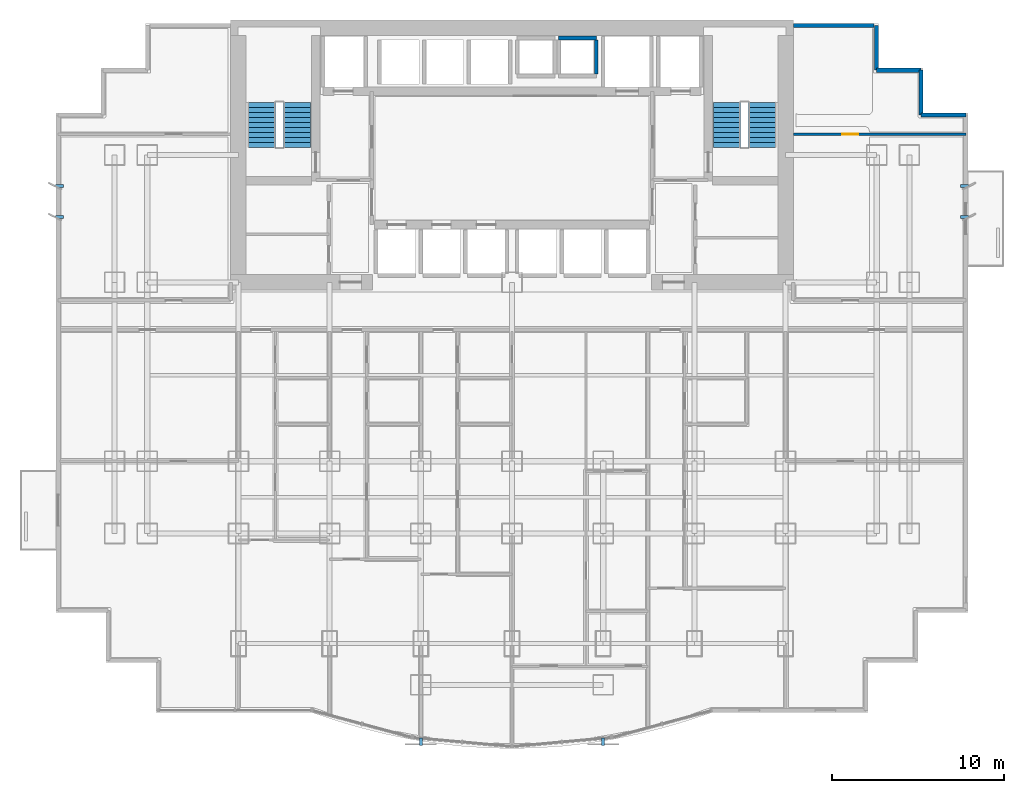
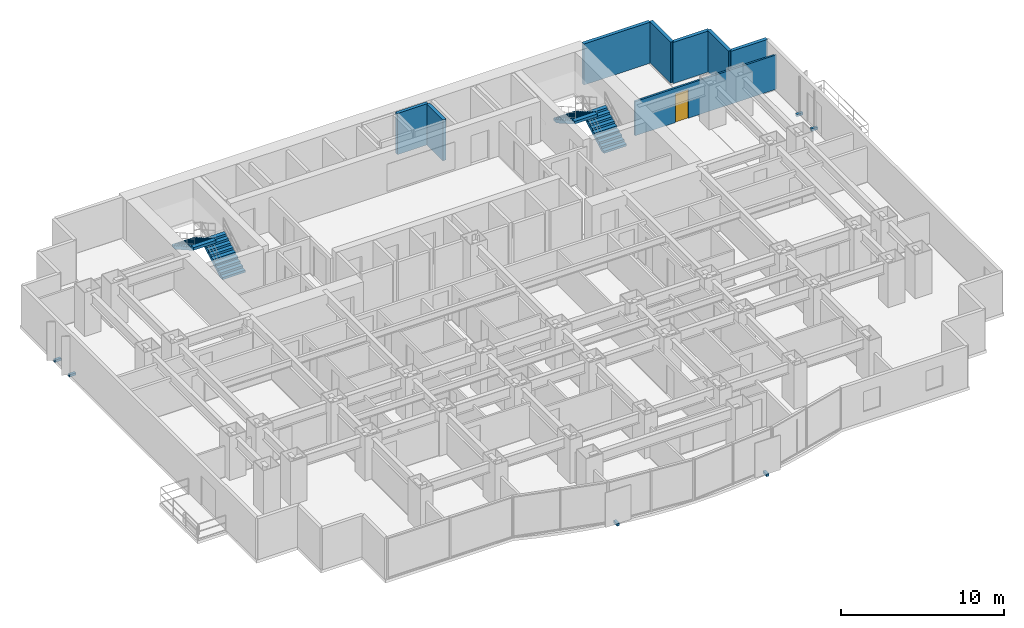
# One storey, part 8 of 10: 8 walls, 6 discrete accessories, 4 stair flights, 1 door, 1 opening, 2 elements without a shape of their own.
"""IFC4 building model written with IfcOpenShell, lengths in metres."""

from ifc_helpers import new_model, si_unit, direction, frame, frame_2d, origin, origin_2d, place, context, subcontext, project, spatial, polyline, rectangle, outline, extrude, source, transform, mapped, material, layer, layer_set, type_object, element, fill, aggregate, save


model = new_model("IFC4")

# Units and contexts
model_context = context("Model", 3, precision=1e-05, world=origin(), true_north=direction((0.0, 1.0)))
body_context = subcontext(model_context, "Body", "Model", "MODEL_VIEW")
ifc_project = project(units=[si_unit("LENGTHUNIT", "METRE"), si_unit("AREAUNIT", "SQUARE_METRE"), si_unit("VOLUMEUNIT", "CUBIC_METRE"), si_unit("PLANEANGLEUNIT", "RADIAN"), si_unit("MASSUNIT", "GRAM", prefix="KILO")], contexts=[model_context])

# Site, building, storey
site_placement = place(None, origin())
site = spatial("IfcSite", under=ifc_project, at=site_placement, CompositionType="ELEMENT")
building_placement = place(site_placement, origin())
building = spatial("IfcBuilding", under=site, at=building_placement, Name="Qianlan Lanfeng Residences", CompositionType="ELEMENT")
storey_placement = place(building_placement, frame((0.0, 0.0, 37.39990234375)))
storey = spatial("IfcBuildingStorey", under=building, at=storey_placement, Name="L09", CompositionType="ELEMENT", Elevation=37.39990234375)

# Walls
ifc_material_1 = material(Name="Concrete C42", Category="concrete")
ifc_layer_1 = layer(ifc_material_1, 0.239990234375)
ifc_layer_set_1 = layer_set([ifc_layer_1], Name="Concrete C42")
wall_type_1 = type_object("IfcWallType", Name="EW-240", PredefinedType="SOLIDWALL", material=ifc_layer_set_1)
wall_1_placement = place(storey_placement, frame((52.8798828125, 34.929931640625, 0.0), z_axis=(0.0, 0.0, 1.0), x_axis=(-1.0, 0.0, 0.0)))
element("IfcWall", 1, at=wall_1_placement, inside=storey, type_object=wall_type_1, Name="L09 Exterior Facade Spandrel Wall 11", PredefinedType="SOLIDWALL", context=body_context, shape_type="SweptSolid", body=[
    extrude(rectangle(XDim=2.599853515625, YDim=0.239990234375, at=frame_2d((1.2998046875, 0.0))), origin(), (0.0, 0.0, 1.0), 3.080078125),
])
for number, where, z_axis, x_axis, name in (
    (2, (50.280029296875, 34.929931640625, 0.0), (0.0, 0.0, 1.0), (0.0, 1.0, 0.0), "L09 Exterior Facade Spandrel Wall 12"),
    (3, (50.280029296875, 37.530029296875, 0.0), (0.0, 0.0, 1.0), (-1.0, 0.0, 0.0), "L09 Exterior Facade Spandrel Wall 13"),
):
    element("IfcWall", number, at=place(storey_placement, frame(where, z_axis=z_axis, x_axis=x_axis)), inside=storey, type_object=wall_type_1, Name=name, PredefinedType="SOLIDWALL", context=body_context, shape_type="SweptSolid", body=[
        extrude(rectangle(XDim=2.60009765625, YDim=0.239990234375, at=frame_2d((1.300048828125, 0.0))), origin(), (0.0, 0.0, 1.0), 3.080078125),
    ])
wall_2_placement = place(storey_placement, frame((47.679931640625, 37.530029296875, 0.0), z_axis=(0.0, 0.0, 1.0), x_axis=(0.0, 1.0, 0.0)))
element("IfcWall", 4, at=wall_2_placement, inside=storey, type_object=wall_type_1, Name="L09 Exterior Facade Spandrel Wall 14", PredefinedType="SOLIDWALL", context=body_context, shape_type="SweptSolid", body=[
    extrude(rectangle(XDim=2.599853515625, YDim=0.239990234375, at=frame_2d((1.2998046875, 0.0))), origin(), (0.0, 0.0, 1.0), 3.080078125),
])
wall_3_placement = place(storey_placement, frame((47.550048828125, 40.1298828125, 0.0), z_axis=(0.0, 0.0, 1.0), x_axis=(-1.0, 0.0, 0.0)))
element("IfcWall", 5, at=wall_3_placement, inside=storey, type_object=wall_type_1, Name="L09 North Wing Exterior Wall E", PredefinedType="SOLIDWALL", context=body_context, shape_type="SweptSolid", body=[
    extrude(rectangle(XDim=4.699951171875, YDim=0.239990234375, at=frame_2d((2.35009765625, 0.0))), origin(), (0.0, 0.0, 1.0), 3.080078125),
])

# Wall, opening, door
ifc_material_2 = material(Name="Moisture-Resistant Gypsum Partition 135 mm")
ifc_layer_2 = layer(ifc_material_2, 0.135009765625)
ifc_layer_set_2 = layer_set([ifc_layer_2], Name="Moisture-Resistant Gypsum Partition 135 mm")
wall_type_2 = type_object("IfcWallType", Name="PW-135", PredefinedType="PARTITIONING", material=ifc_layer_set_2)
wall_4_placement = place(storey_placement, frame((42.85009765625, 33.800048828125, 0.0), z_axis=(0.0, 0.0, 1.0), x_axis=(1.0, 0.0, 0.0)))
wall_4 = element("IfcWall", 6, at=wall_4_placement, inside=storey, type_object=wall_type_2, Name="L09 EW North Wing Wall", PredefinedType="PARTITIONING", context=body_context, shape_type="SweptSolid", body=[
    extrude(rectangle(XDim=10.02978515625, YDim=0.135009765625, at=frame_2d((5.014892578125, 0.0))), origin(), (0.0, 0.0, 1.0), 2.570068359375),
])
opening_placement = place(wall_4_placement, frame((2.85498046875, 0.0, 0.0)))
opening = element("IfcOpeningElement", 7, at=opening_placement, cuts=wall_4, Name="Opening L09-D46", PredefinedType="OPENING", context=body_context, shape_type="SweptSolid", body=[
    extrude(rectangle(XDim=0.919921875, YDim=2.14990234375, at=frame_2d((0.4599609375, 1.074951171875))), frame((0.0, 0.07763671875, 0.0), z_axis=(0.0, -1.0, 0.0), x_axis=(1.0, 0.0, 0.0)), (0.0, 0.0, 1.0), 0.155029296875),
])
ifc_material_3 = material(Name="Glazed Timber Kitchen/Study Door", Category="wood")
door_type = type_object("IfcDoorType", Name="DT-INT", OperationType="NOTDEFINED", PredefinedType="DOOR", material=ifc_material_3)
door_placement = place(opening_placement, origin())
door = element("IfcDoor", 8, at=door_placement, inside=storey, type_object=door_type, Name="L09 EW Inner Salon Door L09-D46 (DT-INT)", OperationType="SINGLE_SWING_RIGHT", OverallHeight=2.14990234375, OverallWidth=0.919921875, PredefinedType="DOOR", context=body_context, shape_type="SweptSolid", body=[
    extrude(rectangle(XDim=0.919921875, YDim=2.14990234375, at=frame_2d((0.4599609375, 1.074951171875))), frame((0.0, 0.02490234375, 0.0), z_axis=(0.0, -1.0, 0.0), x_axis=(1.0, 0.0, 0.0)), (0.0, 0.0, 1.0), 0.050048828125),
])
fill(opening, door)

# Walls
ifc_material_4 = material(Name="Concrete C49", Category="concrete")
ifc_layer_3 = layer(ifc_material_4, 0.219970703125)
ifc_layer_set_3 = layer_set([ifc_layer_3], Name="Concrete C49")
wall_type_3 = type_object("IfcWallType", Name="SHW-220", PredefinedType="SOLIDWALL", material=ifc_layer_set_3)
wall_5_placement = place(storey_placement, frame((31.39990234375, 37.31005859375, 0.0), z_axis=(0.0, 0.0, 1.0), x_axis=(0.0, 1.0, 0.0)))
element("IfcWall", 9, at=wall_5_placement, inside=storey, type_object=wall_type_3, Name="L09 MEP Riser MEP-R2 Shaft Wall E", PredefinedType="SOLIDWALL", context=body_context, shape_type="SweptSolid", body=[
    extrude(rectangle(XDim=1.97998046875, YDim=0.219970703125, at=frame_2d((0.989990234375, 0.0))), origin(), (0.0, 0.0, 1.0), 3.080078125),
])
wall_6_placement = place(storey_placement, frame((29.199951171875, 39.39990234375, 0.0), z_axis=(0.0, 0.0, 1.0), x_axis=(1.0, 0.0, 0.0)))
element("IfcWall", 10, at=wall_6_placement, inside=storey, type_object=wall_type_3, Name="L09 MEP Riser MEP-R2 Shaft Wall N", PredefinedType="SOLIDWALL", context=body_context, shape_type="SweptSolid", body=[
    extrude(rectangle(XDim=2.199951171875, YDim=0.219970703125, at=frame_2d((1.10009765625, 0.0))), origin(), (0.0, 0.0, 1.0), 3.080078125),
])

# Stair, stair flights
stair_type = type_object("IfcStairType", Name="STR-MAIN", PredefinedType="HALF_TURN_STAIR", material=ifc_material_1)
stair_1_placement = place(storey_placement, origin())
stair_1 = element("IfcStair", 11, at=stair_1_placement, inside=storey, type_object=stair_type, Name="L09 Exit Stair ST-1", PredefinedType="HALF_TURN_STAIR")
stair_flight_type = type_object("IfcStairFlightType", Name="FLT-1720", PredefinedType="STRAIGHT", material=ifc_material_1)
stair_flight_1_placement = place(storey_placement, frame((14.02001953125, 33.050048828125, 0.0), z_axis=(0.0, 0.0, 1.0), x_axis=(0.0, 1.0, 0.0)))
stair_flight_1 = element("IfcStairFlight", 12, at=stair_flight_1_placement, type_object=stair_flight_type, Name="ST-1 flight 1", NumberOfRisers=10, NumberOfTreads=9, PredefinedType="STRAIGHT", RiserHeight=0.165, TreadLength=0.29, context=body_context, shape_type="SweptSolid", body=[
    extrude(outline(polyline([(0.0, 0.0), (0.0, 0.1650390625), (0.2900390625, 0.1650390625), (0.2900390625, 0.330078125), (0.580078125, 0.330078125), (0.580078125, 0.4951171875), (0.8701171875, 0.4951171875), (0.8701171875, 0.659912109375), (1.159912109375, 0.659912109375), (1.159912109375, 0.824951171875), (1.449951171875, 0.824951171875), (1.449951171875, 0.989990234375), (1.739990234375, 0.989990234375), (1.739990234375, 1.155029296875), (2.030029296875, 1.155029296875), (2.030029296875, 1.320068359375), (2.320068359375, 1.320068359375), (2.320068359375, 1.485107421875), (2.610107421875, 1.485107421875), (2.610107421875, 1.64990234375), (2.610107421875, 1.278076171875), (0.36376953125, 0.0), (0.0, 0.0)])), frame((0.0, 0.800048828125, 0.0), z_axis=(0.0, -1.0, 0.0), x_axis=(1.0, 0.0, 0.0)), (0.0, 0.0, 1.0), 1.60009765625),
])
stair_flight_2_placement = place(storey_placement, frame((11.93994140625, 35.659912109375, 1.650146484375), z_axis=(0.0, 0.0, 1.0), x_axis=(0.0, -1.0, 0.0)))
stair_flight_2 = element("IfcStairFlight", 13, at=stair_flight_2_placement, type_object=stair_flight_type, Name="ST-1 flight 2", NumberOfRisers=10, NumberOfTreads=9, PredefinedType="STRAIGHT", RiserHeight=0.165, TreadLength=0.29, context=body_context, shape_type="SweptSolid", body=[
    extrude(outline(polyline([(0.0, 0.0), (0.0, 0.1650390625), (0.2900390625, 0.1650390625), (0.2900390625, 0.330078125), (0.580078125, 0.330078125), (0.580078125, 0.4951171875), (0.8701171875, 0.4951171875), (0.8701171875, 0.659912109375), (1.159912109375, 0.659912109375), (1.159912109375, 0.824951171875), (1.449951171875, 0.824951171875), (1.449951171875, 0.989990234375), (1.739990234375, 0.989990234375), (1.739990234375, 1.155029296875), (2.030029296875, 1.155029296875), (2.030029296875, 1.320068359375), (2.320068359375, 1.320068359375), (2.320068359375, 1.485107421875), (2.610107421875, 1.485107421875), (2.610107421875, 1.64990234375), (2.610107421875, 1.278076171875), (0.36376953125, 0.0), (0.0, 0.0)])), frame((0.0, 0.800048828125, 0.0), z_axis=(0.0, -1.0, 0.0), x_axis=(1.0, 0.0, 0.0)), (0.0, 0.0, 1.0), 1.60009765625),
])
aggregate(stair_1, [stair_flight_1, stair_flight_2])

stair_2_placement = place(storey_placement, origin())
stair_2 = element("IfcStair", 14, at=stair_2_placement, inside=storey, type_object=stair_type, Name="L09 Exit Stair ST-2", PredefinedType="HALF_TURN_STAIR")
stair_flight_3_placement = place(storey_placement, frame((41.06005859375, 33.050048828125, 0.0), z_axis=(0.0, 0.0, 1.0), x_axis=(0.0, 1.0, 0.0)))
stair_flight_3 = element("IfcStairFlight", 15, at=stair_flight_3_placement, type_object=stair_flight_type, Name="ST-2 flight 1", NumberOfRisers=10, NumberOfTreads=9, PredefinedType="STRAIGHT", RiserHeight=0.165, TreadLength=0.29, context=body_context, shape_type="SweptSolid", body=[
    extrude(outline(polyline([(0.0, 0.0), (0.0, 0.1650390625), (0.2900390625, 0.1650390625), (0.2900390625, 0.330078125), (0.580078125, 0.330078125), (0.580078125, 0.4951171875), (0.8701171875, 0.4951171875), (0.8701171875, 0.659912109375), (1.159912109375, 0.659912109375), (1.159912109375, 0.824951171875), (1.449951171875, 0.824951171875), (1.449951171875, 0.989990234375), (1.739990234375, 0.989990234375), (1.739990234375, 1.155029296875), (2.030029296875, 1.155029296875), (2.030029296875, 1.320068359375), (2.320068359375, 1.320068359375), (2.320068359375, 1.485107421875), (2.610107421875, 1.485107421875), (2.610107421875, 1.64990234375), (2.610107421875, 1.278076171875), (0.36376953125, 0.0), (0.0, 0.0)])), frame((0.0, 0.800048828125, 0.0), z_axis=(0.0, -1.0, 0.0), x_axis=(1.0, 0.0, 0.0)), (0.0, 0.0, 1.0), 1.60009765625),
])
stair_flight_4_placement = place(storey_placement, frame((38.97998046875, 35.659912109375, 1.650146484375), z_axis=(0.0, 0.0, 1.0), x_axis=(0.0, -1.0, 0.0)))
stair_flight_4 = element("IfcStairFlight", 16, at=stair_flight_4_placement, type_object=stair_flight_type, Name="ST-2 flight 2", NumberOfRisers=10, NumberOfTreads=9, PredefinedType="STRAIGHT", RiserHeight=0.165, TreadLength=0.29, context=body_context, shape_type="SweptSolid", body=[
    extrude(outline(polyline([(0.0, 0.0), (0.0, 0.1650390625), (0.2900390625, 0.1650390625), (0.2900390625, 0.330078125), (0.580078125, 0.330078125), (0.580078125, 0.4951171875), (0.8701171875, 0.4951171875), (0.8701171875, 0.659912109375), (1.159912109375, 0.659912109375), (1.159912109375, 0.824951171875), (1.449951171875, 0.824951171875), (1.449951171875, 0.989990234375), (1.739990234375, 0.989990234375), (1.739990234375, 1.155029296875), (2.030029296875, 1.155029296875), (2.030029296875, 1.320068359375), (2.320068359375, 1.320068359375), (2.320068359375, 1.485107421875), (2.610107421875, 1.485107421875), (2.610107421875, 1.64990234375), (2.610107421875, 1.278076171875), (0.36376953125, 0.0), (0.0, 0.0)])), frame((0.0, 0.800048828125, 0.0), z_axis=(0.0, -1.0, 0.0), x_axis=(1.0, 0.0, 0.0)), (0.0, 0.0, 1.0), 1.60009765625),
])
aggregate(stair_2, [stair_flight_3, stair_flight_4])

# Discrete accessories
ifc_material_5 = material(Name="Stainless Steel Facade Bracket", Category="steel")
discrete_accessory_type = type_object("IfcDiscreteAccessoryType", Name="BRK-SS-350", PredefinedType="BRACKET", material=ifc_material_5)
shared_shape_1 = source(origin(), body_context, "Body", "SweptSolid", [
    extrude(rectangle(XDim=0.179931640625, YDim=0.449951171875, at=origin_2d()), origin(), (0.0, 0.0, 1.0), 0.179931640625),
])
for number, where, z_axis, x_axis, name in (
    (17, (21.199951171875, -1.5, -0.14990234375), (0.0, 0.0, 1.0), (1.0, 0.0, 0.0), "L09 Solar Screen Support Bracket 1"),
    (18, (31.800048828125, -1.5, -0.14990234375), (0.0, 0.0, 1.0), (1.0, 0.0, 0.0), "L09 Solar Screen Support Bracket 2"),
):
    element("IfcDiscreteAccessory", number, at=place(storey_placement, frame(where, z_axis=z_axis, x_axis=x_axis)), inside=storey, type_object=discrete_accessory_type, Name=name, PredefinedType="BRACKET", context=body_context, shape_type="MappedRepresentation", body=[
        mapped(shared_shape_1, transform((0.0, 0.0, 0.0), scale=1.0)),
    ])
shared_shape_2 = source(origin(), body_context, "Body", "SweptSolid", [
    extrude(rectangle(XDim=0.449951171875, YDim=0.179931640625, at=origin_2d()), origin(), (0.0, 0.0, 1.0), 0.179931640625),
])
for number, where, z_axis, x_axis, name in (
    (19, (0.199951171875, 29.0, -0.14990234375), (0.0, 0.0, 1.0), (1.0, 0.0, 0.0), "L09 Raked Solar Fin Support Bracket W1"),
    (20, (0.199951171875, 30.800048828125, -0.14990234375), (0.0, 0.0, 1.0), (1.0, 0.0, 0.0), "L09 Raked Solar Fin Support Bracket W2"),
    (21, (52.800048828125, 29.0, -0.14990234375), (0.0, 0.0, 1.0), (1.0, 0.0, 0.0), "L09 Raked Solar Fin Support Bracket E1"),
    (22, (52.800048828125, 30.800048828125, -0.14990234375), (0.0, 0.0, 1.0), (1.0, 0.0, 0.0), "L09 Raked Solar Fin Support Bracket E2"),
):
    element("IfcDiscreteAccessory", number, at=place(storey_placement, frame(where, z_axis=z_axis, x_axis=x_axis)), inside=storey, type_object=discrete_accessory_type, Name=name, PredefinedType="BRACKET", context=body_context, shape_type="MappedRepresentation", body=[
        mapped(shared_shape_2, transform((0.0, 0.0, 0.0), scale=1.0)),
    ])

save(model, "model.ifc")
